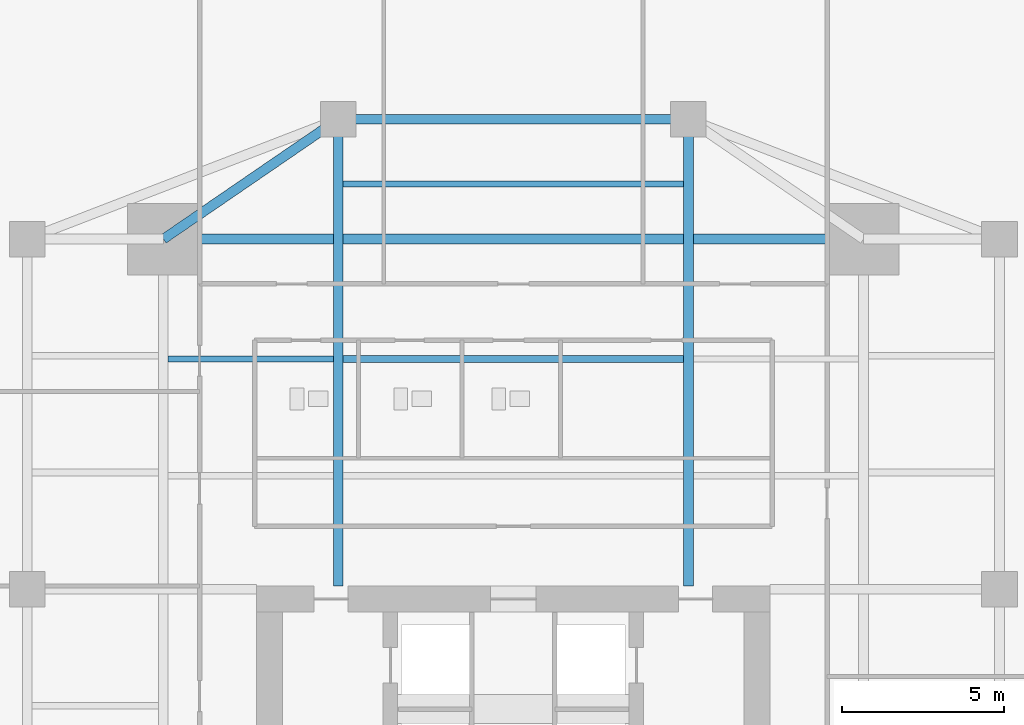
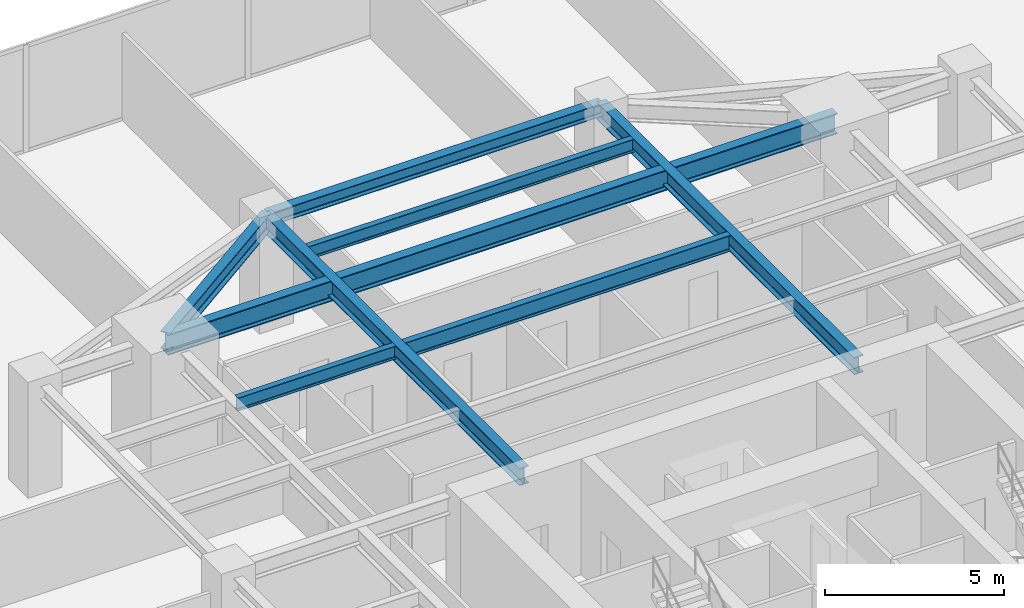
# One storey, part 18 of 28: 8 beams.
"""IFC4 building model written with IfcOpenShell, lengths in metres."""

from ifc_helpers import new_model, si_unit, direction, frame, origin, origin_2d, place, context, subcontext, project, spatial, i_section, extrude, source, transform, mapped, material, material_profile, profile_set, type_object, type_shapes, element, save


model = new_model("IFC4")

# Units and contexts
model_context = context("Model", 3, precision=1e-05, world=origin(), true_north=direction((0.0, 1.0)))
body_context = subcontext(model_context, "Body", "Model", "MODEL_VIEW")
ifc_project = project(units=[si_unit("LENGTHUNIT", "METRE"), si_unit("AREAUNIT", "SQUARE_METRE"), si_unit("VOLUMEUNIT", "CUBIC_METRE"), si_unit("PLANEANGLEUNIT", "RADIAN"), si_unit("MASSUNIT", "GRAM", prefix="KILO")], contexts=[model_context])

# Site, building, storey
site_placement = place(None, origin())
site = spatial("IfcSite", under=ifc_project, at=site_placement, CompositionType="ELEMENT")
building_placement = place(site_placement, origin())
building = spatial("IfcBuilding", under=site, at=building_placement, Name="Krantzveldt Concourse Tower", CompositionType="ELEMENT")
storey_placement = place(building_placement, frame((0.0, 0.0, 28.949951171875)))
storey = spatial("IfcBuildingStorey", under=building, at=storey_placement, Name="L06", CompositionType="ELEMENT", Elevation=28.949951171875)

# Beams
ifc_material_1 = material(Name="Steel S355J2", Category="steel")
ifc_material_profile_1 = material_profile(ifc_material_1, i_section(OverallWidth=0.300048828125, OverallDepth=0.699951171875, WebThickness=0.01708984375, FlangeThickness=0.031982421875, FilletRadius=0.027099609375, at=origin_2d()), Name="Steel S355J2", Category="steel")
ifc_profile_set_1 = profile_set([ifc_material_profile_1], Name="Steel S355J2 - HEB 700")
beam_type_1 = type_object("IfcBeamType", Name="BM-B-HEB700", PredefinedType="BEAM", material=ifc_profile_set_1)
shared_shape_1 = source(origin(), body_context, "Body", "SweptSolid", [
    extrude(i_section(OverallWidth=0.300048828125, OverallDepth=0.699951171875, WebThickness=0.01708984375, FlangeThickness=0.031982421875, FilletRadius=0.027099609375, at=origin_2d()), origin(), (0.0, 0.0, 1.0), 21.60009765625),
])
type_shapes(beam_type_1, [shared_shape_1])
beam_1_placement = place(storey_placement, frame((25.199951171875, 37.5, 3.320068359375), z_axis=(1.0, 0.0, 0.0), x_axis=(0.0, 1.0, 0.0)))
element("IfcBeam", 1, at=beam_1_placement, inside=storey, type_object=beam_type_1, Name="L06 Tower Girder BG-MN", PredefinedType="BEAM", context=body_context, shape_type="MappedRepresentation", body=[
    mapped(shared_shape_1, transform((0.0, 0.0, 0.0), x_axis=(1.0, 0.0, 0.0), y_axis=(0.0, 1.0, 0.0), z_axis=(0.0, 0.0, 1.0), scale=1.0)),
])
ifc_material_2 = material(Name="Steel S355JR", Category="steel")
ifc_material_profile_2 = material_profile(ifc_material_2, i_section(OverallWidth=0.300048828125, OverallDepth=0.590087890625, WebThickness=0.012939453125, FlangeThickness=0.02490234375, FilletRadius=0.027099609375, at=origin_2d()), Name="Steel S355JR", Category="steel")
ifc_profile_set_2 = profile_set([ifc_material_profile_2], Name="Steel S355JR - HEA 600")
beam_type_2 = type_object("IfcBeamType", Name="BM-B-HEA600", PredefinedType="BEAM", material=ifc_profile_set_2)
shared_shape_2 = source(origin(), body_context, "Body", "SweptSolid", [
    extrude(i_section(OverallWidth=0.300048828125, OverallDepth=0.590087890625, WebThickness=0.012939453125, FlangeThickness=0.02490234375, FilletRadius=0.027099609375, at=origin_2d()), origin(), (0.0, 0.0, 1.0), 14.39990234375),
])
for number, where, z_axis, x_axis, name in (
    (2, (30.60009765625, 26.800048828125, 3.375), (0.0, 1.0, 0.0), (-1.0, 0.0, 0.0), "L06 Tower Girder BG-CNW"),
    (3, (41.39990234375, 26.800048828125, 3.375), (0.0, 1.0, 0.0), (-1.0, 0.0, 0.0), "L06 Tower Girder BG-CNE"),
):
    element("IfcBeam", number, at=place(storey_placement, frame(where, z_axis=z_axis, x_axis=x_axis)), inside=storey, type_object=beam_type_2, Name=name, PredefinedType="BEAM", context=body_context, shape_type="MappedRepresentation", body=[
        mapped(shared_shape_2, transform((0.0, 0.0, 0.0), x_axis=(1.0, 0.0, 0.0), y_axis=(0.0, 1.0, 0.0), z_axis=(0.0, 0.0, 1.0), scale=1.0)),
    ])
ifc_material_profile_3 = material_profile(ifc_material_2, i_section(OverallWidth=0.300048828125, OverallDepth=0.43994140625, WebThickness=0.011474609375, FlangeThickness=0.02099609375, FilletRadius=0.027099609375, at=origin_2d()), Name="Steel S355JR", Category="steel")
ifc_profile_set_3 = profile_set([ifc_material_profile_3], Name="Steel S355JR - HEA 450")
beam_type_3 = type_object("IfcBeamType", Name="BM-SP-HEA450", PredefinedType="SPANDREL", material=ifc_profile_set_3)
shared_shape_3 = source(origin(), body_context, "Body", "SweptSolid", [
    extrude(i_section(OverallWidth=0.300048828125, OverallDepth=0.43994140625, WebThickness=0.011474609375, FlangeThickness=0.02099609375, FilletRadius=0.027099609375, at=origin_2d()), origin(), (0.0, 0.0, 1.0), 10.7998046875),
])
type_shapes(beam_type_3, [shared_shape_3])
beam_2_placement = place(storey_placement, frame((30.60009765625, 41.199951171875, 3.449951171875), z_axis=(1.0, 0.0, 0.0), x_axis=(0.0, 1.0, 0.0)))
element("IfcBeam", 4, at=beam_2_placement, inside=storey, type_object=beam_type_3, Name="L06 Tower Girder SP-R04", PredefinedType="SPANDREL", context=body_context, shape_type="MappedRepresentation", body=[
    mapped(shared_shape_3, transform((0.0, 0.0, 0.0), x_axis=(1.0, 0.0, 0.0), y_axis=(0.0, 1.0, 0.0), z_axis=(0.0, 0.0, 1.0), scale=1.0)),
])
shared_shape_4 = source(origin(), body_context, "Body", "SweptSolid", [
    extrude(i_section(OverallWidth=0.300048828125, OverallDepth=0.590087890625, WebThickness=0.012939453125, FlangeThickness=0.02490234375, FilletRadius=0.027099609375, at=origin_2d()), origin(), (0.0, 0.0, 1.0), 6.546142578125),
])
type_shapes(beam_type_2, [shared_shape_2, shared_shape_4])
beam_3_placement = place(storey_placement, frame((25.199951171875, 37.5, 3.375), z_axis=(0.824942999484, 0.565215930068, 0.0), x_axis=(-0.565215930068, 0.824942999484, 0.0)))
element("IfcBeam", 5, at=beam_3_placement, inside=storey, type_object=beam_type_2, Name="L06 Tower Girder BR-RL4", PredefinedType="BEAM", context=body_context, shape_type="MappedRepresentation", body=[
    mapped(shared_shape_4, transform((0.0, 0.0, 0.0), x_axis=(1.0, 0.0, 0.0), y_axis=(0.0, 1.0, 0.0), z_axis=(0.0, 0.0, 1.0), scale=1.0)),
])
ifc_material_profile_4 = material_profile(ifc_material_2, i_section(OverallWidth=0.2099609375, OverallDepth=0.550048828125, WebThickness=0.010986328125, FlangeThickness=0.01708984375, FilletRadius=0.02392578125, at=origin_2d()), Name="Steel S355JR", Category="steel")
ifc_profile_set_4 = profile_set([ifc_material_profile_4], Name="Steel S355JR - IPE 550")
beam_type_4 = type_object("IfcBeamType", Name="BM-J-IPE550", PredefinedType="JOIST", material=ifc_profile_set_4)
shared_shape_5 = source(origin(), body_context, "Body", "SweptSolid", [
    extrude(i_section(OverallWidth=0.2099609375, OverallDepth=0.550048828125, WebThickness=0.010986328125, FlangeThickness=0.01708984375, FilletRadius=0.02392578125, at=origin_2d()), origin(), (0.0, 0.0, 1.0), 10.5),
])
type_shapes(beam_type_4, [shared_shape_5])
beam_4_placement = place(storey_placement, frame((30.75, 33.800048828125, 3.39501953125), z_axis=(1.0, 0.0, 0.0), x_axis=(0.0, 1.0, 0.0)))
element("IfcBeam", 6, at=beam_4_placement, inside=storey, type_object=beam_type_4, Name="L06 Secondary Floor Joist JN-C2", PredefinedType="JOIST", context=body_context, shape_type="MappedRepresentation", body=[
    mapped(shared_shape_5, transform((0.0, 0.0, 0.0), x_axis=(1.0, 0.0, 0.0), y_axis=(0.0, 1.0, 0.0), z_axis=(0.0, 0.0, 1.0), scale=1.0)),
])
ifc_material_profile_5 = material_profile(ifc_material_2, i_section(OverallWidth=0.18994140625, OverallDepth=0.449951171875, WebThickness=0.009521484375, FlangeThickness=0.0146484375, FilletRadius=0.02099609375, at=origin_2d()), Name="Steel S355JR", Category="steel")
ifc_profile_set_5 = profile_set([ifc_material_profile_5], Name="Steel S355JR - IPE 450")
beam_type_5 = type_object("IfcBeamType", Name="BM-J-IPE450", PredefinedType="JOIST", material=ifc_profile_set_5)
shared_shape_6 = source(origin(), body_context, "Body", "SweptSolid", [
    extrude(i_section(OverallWidth=0.18994140625, OverallDepth=0.449951171875, WebThickness=0.009521484375, FlangeThickness=0.0146484375, FilletRadius=0.02099609375, at=origin_2d()), origin(), (0.0, 0.0, 1.0), 10.5),
])
beam_5_placement = place(storey_placement, frame((30.75, 39.199951171875, 3.445068359375), z_axis=(1.0, 0.0, 0.0), x_axis=(0.0, 1.0, 0.0)))
element("IfcBeam", 7, at=beam_5_placement, inside=storey, type_object=beam_type_5, Name="L06 Secondary Floor Joist JN-C3", PredefinedType="JOIST", context=body_context, shape_type="MappedRepresentation", body=[
    mapped(shared_shape_6, transform((0.0, 0.0, 0.0), x_axis=(1.0, 0.0, 0.0), y_axis=(0.0, 1.0, 0.0), z_axis=(0.0, 0.0, 1.0), scale=1.0)),
])
shared_shape_7 = source(origin(), body_context, "Body", "SweptSolid", [
    extrude(i_section(OverallWidth=0.18994140625, OverallDepth=0.449951171875, WebThickness=0.009521484375, FlangeThickness=0.0146484375, FilletRadius=0.02099609375, at=origin_2d()), origin(), (0.0, 0.0, 1.0), 5.099853515625),
])
type_shapes(beam_type_5, [shared_shape_6, shared_shape_7])
beam_6_placement = place(storey_placement, frame((25.35009765625, 33.800048828125, 3.445068359375), z_axis=(1.0, 0.0, 0.0), x_axis=(0.0, 1.0, 0.0)))
element("IfcBeam", 8, at=beam_6_placement, inside=storey, type_object=beam_type_5, Name="L06 Secondary Floor Joist JN-W2", PredefinedType="JOIST", context=body_context, shape_type="MappedRepresentation", body=[
    mapped(shared_shape_7, transform((0.0, 0.0, 0.0), x_axis=(1.0, 0.0, 0.0), y_axis=(0.0, 1.0, 0.0), z_axis=(0.0, 0.0, 1.0), scale=1.0)),
])

save(model, "model.ifc")
